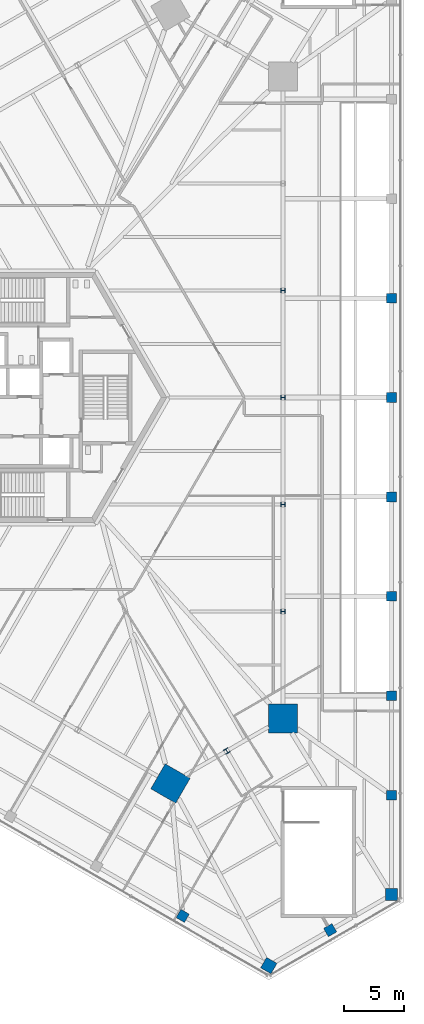
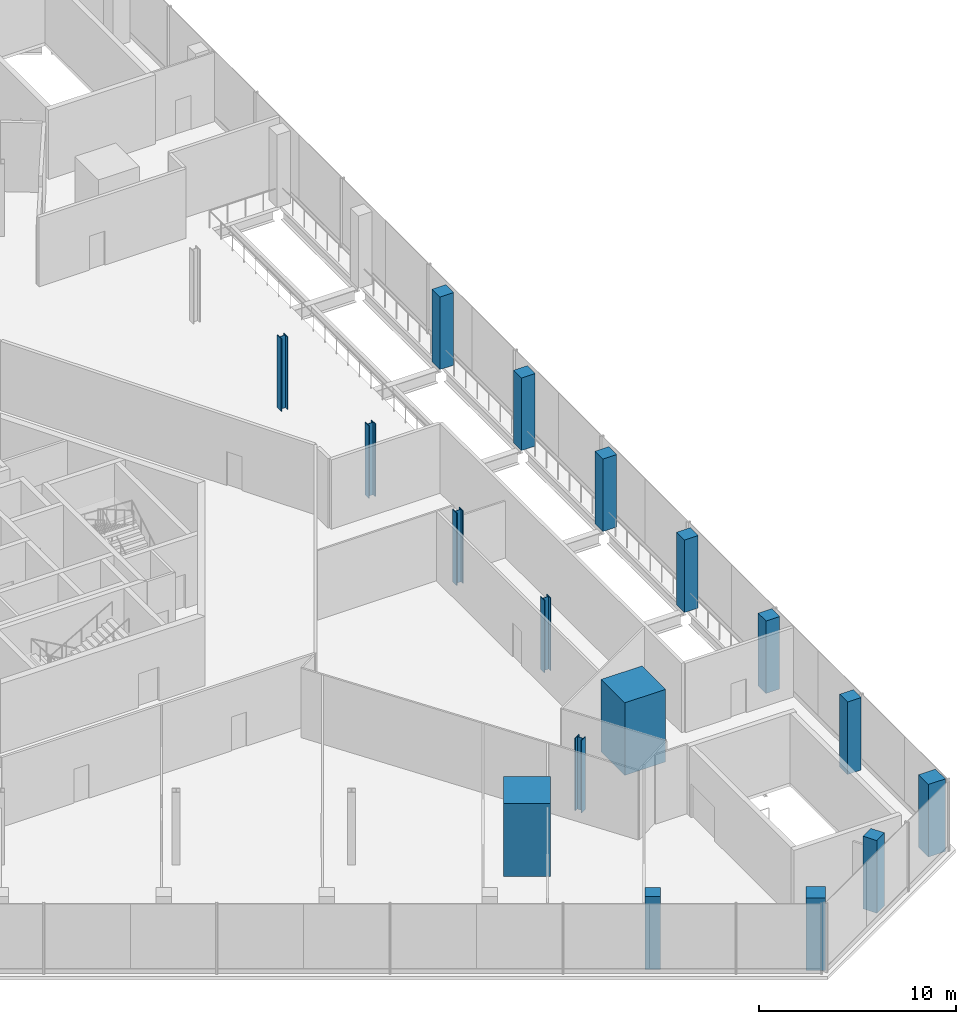
# One storey, part 3 of 25: 17 columns.
"""IFC4 building model written with IfcOpenShell, lengths in metres."""

from ifc_helpers import new_model, si_unit, direction, frame, origin, origin_2d, place, context, subcontext, project, spatial, rectangle, i_section, extrude, source, transform, mapped, material, material_profile, profile_set, type_object, element, save


model = new_model("IFC4")

# Units and contexts
model_context = context("Model", 3, precision=1e-05, world=origin(), true_north=direction((0.0, 1.0)))
body_context = subcontext(model_context, "Body", "Model", "MODEL_VIEW")
ifc_project = project(units=[si_unit("LENGTHUNIT", "METRE"), si_unit("AREAUNIT", "SQUARE_METRE"), si_unit("VOLUMEUNIT", "CUBIC_METRE"), si_unit("PLANEANGLEUNIT", "RADIAN"), si_unit("MASSUNIT", "GRAM", prefix="KILO")], contexts=[model_context])

# Site, building, storey
site_placement = place(None, origin())
site = spatial("IfcSite", under=ifc_project, at=site_placement, CompositionType="ELEMENT")
building_placement = place(site_placement, origin())
building = spatial("IfcBuilding", under=site, at=building_placement, Name="Triune Harvest Tower", CompositionType="ELEMENT")
storey_placement = place(building_placement, frame((0.0, 0.0, 11.5)))
storey = spatial("IfcBuildingStorey", under=building, at=storey_placement, Name="L02", CompositionType="ELEMENT", Elevation=11.5)

# Columns
ifc_material_1 = material(Name="Concrete 70 MPa", Category="concrete")
ifc_material_profile_1 = material_profile(ifc_material_1, rectangle(XDim=2.39990234375, YDim=2.39990234375, at=origin_2d()), Name="Composite 2400x2400")
ifc_profile_set_1 = profile_set([ifc_material_profile_1], Name="Concrete 70 MPa")
column_type_1 = type_object("IfcColumnType", Name="MC-1 Mega column Composite 2400x2400", PredefinedType="COLUMN", material=ifc_profile_set_1)
shared_shape_1 = source(origin(), body_context, "Body", "SweptSolid", [
    extrude(rectangle(XDim=2.39990234375, YDim=2.39990234375, at=origin_2d()), origin(), (0.0, 0.0, 1.0), 4.5),
])
for number, where, z_axis, x_axis, name in (
    (1, (21.679443359375, -26.72998046875, 0.0), (0.0, 0.0, 1.0), (0.0, 1.0, 0.0), "col/L02/M0"),
    (2, (12.30908203125, -32.139892578125, 0.0), (0.0, 0.0, 1.0), (0.866025403784, -0.5, 0.0), "col/L02/M22"),
):
    element("IfcColumn", number, at=place(storey_placement, frame(where, z_axis=z_axis, x_axis=x_axis)), inside=storey, type_object=column_type_1, Name=name, PredefinedType="COLUMN", context=body_context, shape_type="MappedRepresentation", body=[
        mapped(shared_shape_1, transform((0.0, 0.0, 0.0), scale=1.0)),
    ])
ifc_material_2 = material(Name="Steel ASTM A992 Gr 50", Category="steel")
ifc_material_profile_2 = material_profile(ifc_material_2, i_section(OverallWidth=0.40380859375, OverallDepth=0.406494140625, WebThickness=0.027099609375, FlangeThickness=0.043701171875, at=origin_2d()), Name="W14x233")
ifc_profile_set_2 = profile_set([ifc_material_profile_2], Name="Steel ASTM A992 Gr 50")
column_type_2 = type_object("IfcColumnType", Name="PC-1 Perimeter column W14x233", PredefinedType="COLUMN", material=ifc_profile_set_2)
shared_shape_2 = source(origin(), body_context, "Body", "SweptSolid", [
    extrude(i_section(OverallWidth=0.40380859375, OverallDepth=0.406494140625, WebThickness=0.027099609375, FlangeThickness=0.043701171875, at=origin_2d()), origin(), (0.0, 0.0, 1.0), 4.5),
])
for number, where, z_axis, x_axis, name in (
    (3, (21.679443359375, -17.820068359375, 0.0), (0.0, 0.0, 1.0), (0.0, 1.0, 0.0), "col/L02/P1"),
    (4, (21.679443359375, -8.909912109375, 0.0), (0.0, 0.0, 1.0), (0.0, 1.0, 0.0), "col/L02/P2"),
    (5, (21.679443359375, 0.0, 0.0), (0.0, 0.0, 1.0), (0.0, 1.0, 0.0), "col/L02/P3"),
    (6, (21.679443359375, 8.909912109375, 0.0), (0.0, 0.0, 1.0), (0.0, 1.0, 0.0), "col/L02/P4"),
    (7, (16.994384765625, -29.43505859375, 0.0), (0.0, 0.0, 1.0), (0.866026276448, 0.4999984885, 0.0), "col/L02/P23"),
):
    element("IfcColumn", number, at=place(storey_placement, frame(where, z_axis=z_axis, x_axis=x_axis)), inside=storey, type_object=column_type_2, Name=name, PredefinedType="COLUMN", context=body_context, shape_type="MappedRepresentation", body=[
        mapped(shared_shape_2, transform((0.0, 0.0, 0.0), scale=1.0)),
    ])
ifc_material_3 = material(Name="Concrete 50 MPa", Category="concrete")
ifc_material_profile_3 = material_profile(ifc_material_3, rectangle(XDim=1.0, YDim=1.0, at=origin_2d()), Name="Concrete 1000x1000")
ifc_profile_set_3 = profile_set([ifc_material_profile_3], Name="Concrete 50 MPa")
column_type_3 = type_object("IfcColumnType", Name="PD-1 Podium column Concrete 1000x1000", PredefinedType="COLUMN", material=ifc_profile_set_3)
shared_shape_3 = source(origin(), body_context, "Body", "SweptSolid", [
    extrude(rectangle(XDim=1.0, YDim=1.0, at=origin_2d()), origin(), (0.0, 0.0, 1.0), 4.5),
])
for number, where, z_axis, x_axis, name in (
    (8, (30.715087890625, -41.39990234375, 0.0), (0.0, 0.0, 1.0), (0.0, 1.0, 0.0), "col/L02/D0"),
    (9, (20.495849609375, -47.300048828125, 0.0), (0.0, 0.0, 1.0), (0.866025403784, -0.5, 0.0), "col/L02/D34"),
):
    element("IfcColumn", number, at=place(storey_placement, frame(where, z_axis=z_axis, x_axis=x_axis)), inside=storey, type_object=column_type_3, Name=name, PredefinedType="COLUMN", context=body_context, shape_type="MappedRepresentation", body=[
        mapped(shared_shape_3, transform((0.0, 0.0, 0.0), scale=1.0)),
    ])
ifc_material_4 = material(Name="Concrete 50 MPa", Category="concrete")
ifc_material_profile_4 = material_profile(ifc_material_4, rectangle(XDim=0.800048828125, YDim=0.800048828125, at=origin_2d()), Name="Concrete 800x800")
ifc_profile_set_4 = profile_set([ifc_material_profile_4], Name="Concrete 50 MPa")
column_type_4 = type_object("IfcColumnType", Name="PD-2 Podium column Concrete 800x800", PredefinedType="COLUMN", material=ifc_profile_set_4)
shared_shape_4 = source(origin(), body_context, "Body", "SweptSolid", [
    extrude(rectangle(XDim=0.800048828125, YDim=0.800048828125, at=origin_2d()), origin(), (0.0, 0.0, 1.0), 4.5),
])
for number, where, z_axis, x_axis, name in (
    (10, (30.715087890625, -33.1201171875, 0.0), (0.0, 0.0, 1.0), (0.0, 1.0, 0.0), "col/L02/D1"),
    (11, (30.715087890625, -24.840087890625, 0.0), (0.0, 0.0, 1.0), (0.0, 1.0, 0.0), "col/L02/D2"),
    (12, (30.715087890625, -16.56005859375, 0.0), (0.0, 0.0, 1.0), (0.0, 1.0, 0.0), "col/L02/D3"),
    (13, (30.715087890625, -8.280029296875, 0.0), (0.0, 0.0, 1.0), (0.0, 1.0, 0.0), "col/L02/D4"),
    (14, (30.715087890625, 0.0, 0.0), (0.0, 0.0, 1.0), (0.0, 1.0, 0.0), "col/L02/D5"),
    (15, (30.715087890625, 8.280029296875, 0.0), (0.0, 0.0, 1.0), (0.0, 1.0, 0.0), "col/L02/D6"),
    (16, (13.3251953125, -43.159912109375, 0.0), (0.0, 0.0, 1.0), (0.866025403784, -0.5, 0.0), "col/L02/D33"),
    (17, (25.60546875, -44.35009765625, 0.0), (0.0, 0.0, 1.0), (0.866027149108, 0.499996976998, 0.0), "col/L02/D35"),
):
    element("IfcColumn", number, at=place(storey_placement, frame(where, z_axis=z_axis, x_axis=x_axis)), inside=storey, type_object=column_type_4, Name=name, PredefinedType="COLUMN", context=body_context, shape_type="MappedRepresentation", body=[
        mapped(shared_shape_4, transform((0.0, 0.0, 0.0), scale=1.0)),
    ])

save(model, "model.ifc")
